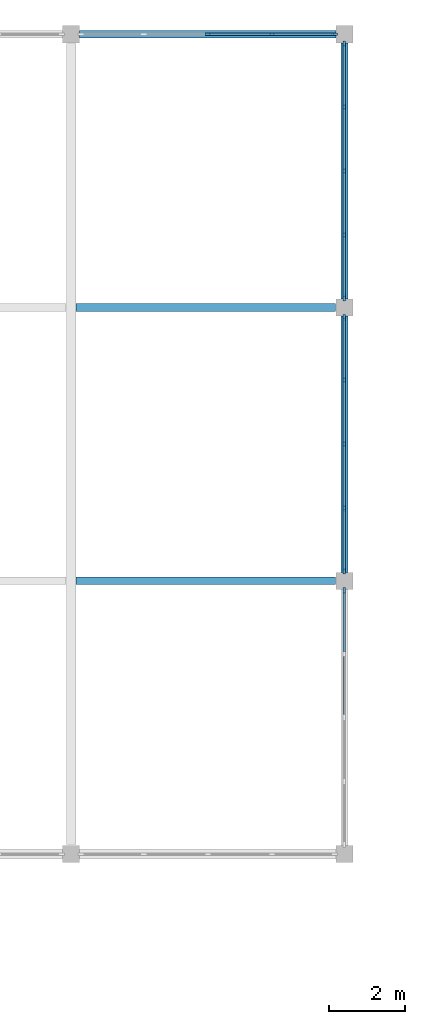
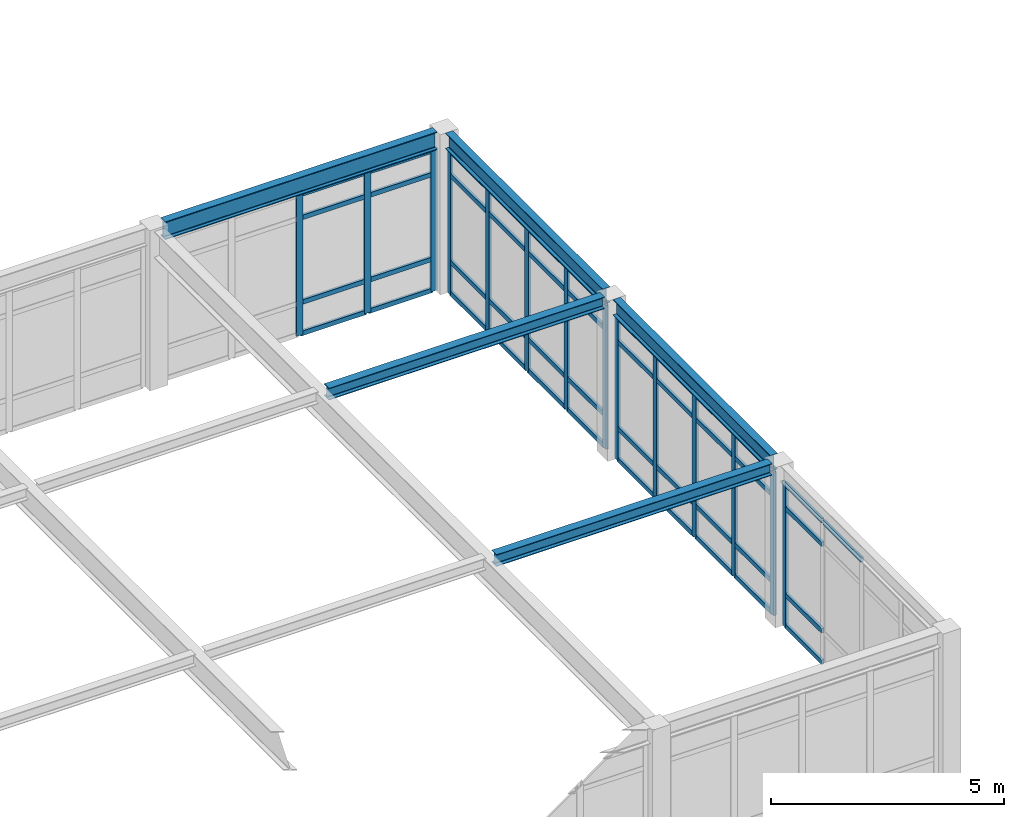
# One storey, part 46 of 136: 59 members, 5 beams, 4 elements without a shape of their own.
"""IFC4 building model written with IfcOpenShell, lengths in metres."""

from ifc_helpers import new_model, si_unit, direction, frame, origin, origin_2d, place, context, subcontext, project, spatial, rectangle, i_section, extrude, material, layer, layer_set, material_profile, profile_set, type_object, element, aggregate, save


model = new_model("IFC4")

# Units and contexts
model_context = context("Model", 3, precision=1e-05, world=origin(), true_north=direction((0.0, 1.0)))
body_context = subcontext(model_context, "Body", "Model", "MODEL_VIEW")
ifc_project = project(units=[si_unit("LENGTHUNIT", "METRE"), si_unit("AREAUNIT", "SQUARE_METRE"), si_unit("VOLUMEUNIT", "CUBIC_METRE"), si_unit("PLANEANGLEUNIT", "RADIAN"), si_unit("MASSUNIT", "GRAM", prefix="KILO")], contexts=[model_context])

# Site, building, storey
site_placement = place(None, origin())
site = spatial("IfcSite", under=ifc_project, at=site_placement, CompositionType="ELEMENT")
building_placement = place(site_placement, origin())
building = spatial("IfcBuilding", under=site, at=building_placement, Name="Koriwan Promenade Central Fire Station", CompositionType="ELEMENT")
storey_placement = place(building_placement, frame((0.0, 0.0, 5.39990234375)))
storey = spatial("IfcBuildingStorey", under=building, at=storey_placement, Name="L01", CompositionType="ELEMENT", Elevation=5.39990234375)

# Curtain wall, members
ifc_material_1 = material(Name="Aluminium EN AW-6063-T6 and low-E glazing", Category="aluminium")
ifc_layer_1 = layer(ifc_material_1, 0.159912109375, Name="Aluminium EN AW-6063-T6 and low-E glazing")
ifc_layer_set_1 = layer_set([ifc_layer_1], Name="Aluminium EN AW-6063-T6 and low-E glazing")
curtain_wall_type_1 = type_object("IfcCurtainWallType", Name="CurtainWall_95_675x372", PredefinedType="USERDEFINED", material=ifc_layer_set_1)
curtain_wall_1_placement = place(storey_placement, origin())
curtain_wall_1 = element("IfcCurtainWall", 1, at=curtain_wall_1_placement, inside=storey, type_object=curtain_wall_type_1, Name="V6 L01 unitised curtain wall 304", ObjectType="UNITISED CURTAIN WALL", PredefinedType="USERDEFINED")
ifc_material_2 = material(Name="Aluminium EN AW-6063-T6", Category="aluminium")
ifc_material_profile_1 = material_profile(ifc_material_2, rectangle(XDim=0.06494140625, YDim=0.159912109375, at=origin_2d()), Name="ALU-MUL-65x160")
ifc_profile_set_1 = profile_set([ifc_material_profile_1], Name="Aluminium EN AW-6063-T6")
member_type_1 = type_object("IfcMemberType", Name="CWMullion_ALU-MUL-65x160", PredefinedType="MULLION", material=ifc_profile_set_1)
member_1_placement = place(storey_placement, frame((32.39990234375, 115.199951171875, 0.0), z_axis=(0.0, 0.0, 1.0), x_axis=(0.0, 1.0, 0.0)))
member_1 = element("IfcMember", 2, at=member_1_placement, type_object=member_type_1, Name="CW-95 mullion 3", PredefinedType="MULLION", context=body_context, shape_type="SweptSolid", body=[
    extrude(rectangle(XDim=0.06494140625, YDim=0.159912109375, at=origin_2d()), origin(), (0.0, 0.0, 1.0), 3.72119140625),
])
member_2_placement = place(storey_placement, frame((34.08740234375, 115.199951171875, 0.0), z_axis=(0.0, 0.0, 1.0), x_axis=(0.0, 1.0, 0.0)))
member_2 = element("IfcMember", 3, at=member_2_placement, type_object=member_type_1, Name="CW-95 mullion 4", PredefinedType="MULLION", context=body_context, shape_type="SweptSolid", body=[
    extrude(rectangle(XDim=0.06494140625, YDim=0.159912109375, at=origin_2d()), origin(), (0.0, 0.0, 1.0), 3.72119140625),
])
member_3_placement = place(storey_placement, frame((35.742431640625, 115.199951171875, 0.0), z_axis=(0.0, 0.0, 1.0), x_axis=(0.0, 1.0, 0.0)))
member_3 = element("IfcMember", 4, at=member_3_placement, type_object=member_type_1, Name="CW-95 mullion 5", PredefinedType="MULLION", context=body_context, shape_type="SweptSolid", body=[
    extrude(rectangle(XDim=0.06494140625, YDim=0.159912109375, at=origin_2d()), origin(), (0.0, 0.0, 1.0), 3.72119140625),
])

# Curtain wall, member
ifc_layer_2 = layer(ifc_material_1, 0.159912109375, Name="Aluminium EN AW-6063-T6 and low-E glazing")
ifc_layer_set_2 = layer_set([ifc_layer_2], Name="Aluminium EN AW-6063-T6 and low-E glazing")
curtain_wall_type_2 = type_object("IfcCurtainWallType", Name="CurtainWall_96_675x377", PredefinedType="USERDEFINED", material=ifc_layer_set_2)
curtain_wall_2_placement = place(storey_placement, origin())
curtain_wall_2 = element("IfcCurtainWall", 5, at=curtain_wall_2_placement, inside=storey, type_object=curtain_wall_type_2, Name="V6 L01 unitised curtain wall 305", ObjectType="UNITISED CURTAIN WALL", PredefinedType="USERDEFINED")
member_4_placement = place(storey_placement, frame((36.0, 100.54248046875, 0.0), z_axis=(0.0, 0.0, 1.0), x_axis=(-1.0, 0.0, 0.0)))
member_4 = element("IfcMember", 6, at=member_4_placement, type_object=member_type_1, Name="CW-96 mullion 5", PredefinedType="MULLION", context=body_context, shape_type="SweptSolid", body=[
    extrude(rectangle(XDim=0.06494140625, YDim=0.159912109375, at=origin_2d()), origin(), (0.0, 0.0, 1.0), 3.773193359375),
])

# Curtain wall, members
curtain_wall_3_placement = place(storey_placement, origin())
curtain_wall_3 = element("IfcCurtainWall", 7, at=curtain_wall_3_placement, inside=storey, type_object=curtain_wall_type_2, Name="V6 L01 unitised curtain wall 306", ObjectType="UNITISED CURTAIN WALL", PredefinedType="USERDEFINED")
member_5_placement = place(storey_placement, frame((36.0, 101.0576171875, 0.0), z_axis=(0.0, 0.0, 1.0), x_axis=(-1.0, 0.0, 0.0)))
member_5 = element("IfcMember", 8, at=member_5_placement, type_object=member_type_1, Name="CW-96 mullion 1", PredefinedType="MULLION", context=body_context, shape_type="SweptSolid", body=[
    extrude(rectangle(XDim=0.06494140625, YDim=0.159912109375, at=origin_2d()), origin(), (0.0, 0.0, 1.0), 3.773193359375),
])
member_6_placement = place(storey_placement, frame((36.0, 102.71240234375, 0.0), z_axis=(0.0, 0.0, 1.0), x_axis=(-1.0, 0.0, 0.0)))
member_6 = element("IfcMember", 9, at=member_6_placement, type_object=member_type_1, Name="CW-96 mullion 2", PredefinedType="MULLION", context=body_context, shape_type="SweptSolid", body=[
    extrude(rectangle(XDim=0.06494140625, YDim=0.159912109375, at=origin_2d()), origin(), (0.0, 0.0, 1.0), 3.773193359375),
])
member_7_placement = place(storey_placement, frame((36.0, 104.39990234375, 0.0), z_axis=(0.0, 0.0, 1.0), x_axis=(-1.0, 0.0, 0.0)))
member_7 = element("IfcMember", 10, at=member_7_placement, type_object=member_type_1, Name="CW-96 mullion 3", PredefinedType="MULLION", context=body_context, shape_type="SweptSolid", body=[
    extrude(rectangle(XDim=0.06494140625, YDim=0.159912109375, at=origin_2d()), origin(), (0.0, 0.0, 1.0), 3.773193359375),
])
member_8_placement = place(storey_placement, frame((36.0, 106.08740234375, 0.0), z_axis=(0.0, 0.0, 1.0), x_axis=(-1.0, 0.0, 0.0)))
member_8 = element("IfcMember", 11, at=member_8_placement, type_object=member_type_1, Name="CW-96 mullion 4", PredefinedType="MULLION", context=body_context, shape_type="SweptSolid", body=[
    extrude(rectangle(XDim=0.06494140625, YDim=0.159912109375, at=origin_2d()), origin(), (0.0, 0.0, 1.0), 3.773193359375),
])
member_9_placement = place(storey_placement, frame((36.0, 107.742431640625, 0.0), z_axis=(0.0, 0.0, 1.0), x_axis=(-1.0, 0.0, 0.0)))
member_9 = element("IfcMember", 12, at=member_9_placement, type_object=member_type_1, Name="CW-96 mullion 5", PredefinedType="MULLION", context=body_context, shape_type="SweptSolid", body=[
    extrude(rectangle(XDim=0.06494140625, YDim=0.159912109375, at=origin_2d()), origin(), (0.0, 0.0, 1.0), 3.773193359375),
])

curtain_wall_4_placement = place(storey_placement, origin())
curtain_wall_4 = element("IfcCurtainWall", 13, at=curtain_wall_4_placement, inside=storey, type_object=curtain_wall_type_2, Name="V6 L01 unitised curtain wall 307", ObjectType="UNITISED CURTAIN WALL", PredefinedType="USERDEFINED")
member_10_placement = place(storey_placement, frame((36.0, 108.257568359375, 0.0), z_axis=(0.0, 0.0, 1.0), x_axis=(-1.0, 0.0, 0.0)))
member_10 = element("IfcMember", 14, at=member_10_placement, type_object=member_type_1, Name="CW-96 mullion 1", PredefinedType="MULLION", context=body_context, shape_type="SweptSolid", body=[
    extrude(rectangle(XDim=0.06494140625, YDim=0.159912109375, at=origin_2d()), origin(), (0.0, 0.0, 1.0), 3.773193359375),
])
member_11_placement = place(storey_placement, frame((36.0, 109.91259765625, 0.0), z_axis=(0.0, 0.0, 1.0), x_axis=(-1.0, 0.0, 0.0)))
member_11 = element("IfcMember", 15, at=member_11_placement, type_object=member_type_1, Name="CW-96 mullion 2", PredefinedType="MULLION", context=body_context, shape_type="SweptSolid", body=[
    extrude(rectangle(XDim=0.06494140625, YDim=0.159912109375, at=origin_2d()), origin(), (0.0, 0.0, 1.0), 3.773193359375),
])
member_12_placement = place(storey_placement, frame((36.0, 111.60009765625, 0.0), z_axis=(0.0, 0.0, 1.0), x_axis=(-1.0, 0.0, 0.0)))
member_12 = element("IfcMember", 16, at=member_12_placement, type_object=member_type_1, Name="CW-96 mullion 3", PredefinedType="MULLION", context=body_context, shape_type="SweptSolid", body=[
    extrude(rectangle(XDim=0.06494140625, YDim=0.159912109375, at=origin_2d()), origin(), (0.0, 0.0, 1.0), 3.773193359375),
])
member_13_placement = place(storey_placement, frame((36.0, 113.28759765625, 0.0), z_axis=(0.0, 0.0, 1.0), x_axis=(-1.0, 0.0, 0.0)))
member_13 = element("IfcMember", 17, at=member_13_placement, type_object=member_type_1, Name="CW-96 mullion 4", PredefinedType="MULLION", context=body_context, shape_type="SweptSolid", body=[
    extrude(rectangle(XDim=0.06494140625, YDim=0.159912109375, at=origin_2d()), origin(), (0.0, 0.0, 1.0), 3.773193359375),
])
member_14_placement = place(storey_placement, frame((36.0, 114.9423828125, 0.0), z_axis=(0.0, 0.0, 1.0), x_axis=(-1.0, 0.0, 0.0)))
member_14 = element("IfcMember", 18, at=member_14_placement, type_object=member_type_1, Name="CW-96 mullion 5", PredefinedType="MULLION", context=body_context, shape_type="SweptSolid", body=[
    extrude(rectangle(XDim=0.06494140625, YDim=0.159912109375, at=origin_2d()), origin(), (0.0, 0.0, 1.0), 3.773193359375),
])

# Member
ifc_material_profile_2 = material_profile(ifc_material_2, rectangle(XDim=0.06494140625, YDim=0.1201171875, at=origin_2d()), Name="ALU-TRN-65x120")
ifc_profile_set_2 = profile_set([ifc_material_profile_2], Name="Aluminium EN AW-6063-T6")
member_type_2 = type_object("IfcMemberType", Name="CWTransom_ALU-TRN-65x120", PredefinedType="USERDEFINED", material=ifc_profile_set_2)
member_15_placement = place(storey_placement, frame((32.4326171875, 115.199951171875, 0.03271484375), z_axis=(1.0, 0.0, 0.0), x_axis=(0.0, 1.0, 0.0)))
member_15 = element("IfcMember", 19, at=member_15_placement, type_object=member_type_2, Name="CW-95 transom 3.1", ObjectType="TRANSOM", PredefinedType="USERDEFINED", context=body_context, shape_type="SweptSolid", body=[
    extrude(rectangle(XDim=0.06494140625, YDim=0.1201171875, at=origin_2d()), origin(), (0.0, 0.0, 1.0), 1.622314453125),
])

member_16_placement = place(storey_placement, frame((32.4326171875, 115.199951171875, 0.85009765625), z_axis=(1.0, 0.0, 0.0), x_axis=(0.0, 1.0, 0.0)))
member_16 = element("IfcMember", 20, at=member_16_placement, type_object=member_type_2, Name="CW-95 transom 3.2", ObjectType="TRANSOM", PredefinedType="USERDEFINED", context=body_context, shape_type="SweptSolid", body=[
    extrude(rectangle(XDim=0.06494140625, YDim=0.1201171875, at=origin_2d()), origin(), (0.0, 0.0, 1.0), 1.622314453125),
])

member_17_placement = place(storey_placement, frame((32.4326171875, 115.199951171875, 3.071044921875), z_axis=(1.0, 0.0, 0.0), x_axis=(0.0, 1.0, 0.0)))
member_17 = element("IfcMember", 21, at=member_17_placement, type_object=member_type_2, Name="CW-95 transom 3.3", ObjectType="TRANSOM", PredefinedType="USERDEFINED", context=body_context, shape_type="SweptSolid", body=[
    extrude(rectangle(XDim=0.06494140625, YDim=0.1201171875, at=origin_2d()), origin(), (0.0, 0.0, 1.0), 1.622314453125),
])

member_18_placement = place(storey_placement, frame((32.4326171875, 115.199951171875, 3.6884765625), z_axis=(1.0, 0.0, 0.0), x_axis=(0.0, 1.0, 0.0)))
member_18 = element("IfcMember", 22, at=member_18_placement, type_object=member_type_2, Name="CW-95 transom 3.4", ObjectType="TRANSOM", PredefinedType="USERDEFINED", context=body_context, shape_type="SweptSolid", body=[
    extrude(rectangle(XDim=0.06494140625, YDim=0.1201171875, at=origin_2d()), origin(), (0.0, 0.0, 1.0), 1.622314453125),
])

member_19_placement = place(storey_placement, frame((34.1201171875, 115.199951171875, 0.03271484375), z_axis=(1.0, 0.0, 0.0), x_axis=(0.0, 1.0, 0.0)))
member_19 = element("IfcMember", 23, at=member_19_placement, type_object=member_type_2, Name="CW-95 transom 4.1", ObjectType="TRANSOM", PredefinedType="USERDEFINED", context=body_context, shape_type="SweptSolid", body=[
    extrude(rectangle(XDim=0.06494140625, YDim=0.1201171875, at=origin_2d()), origin(), (0.0, 0.0, 1.0), 1.58984375),
])

member_20_placement = place(storey_placement, frame((34.1201171875, 115.199951171875, 0.85009765625), z_axis=(1.0, 0.0, 0.0), x_axis=(0.0, 1.0, 0.0)))
member_20 = element("IfcMember", 24, at=member_20_placement, type_object=member_type_2, Name="CW-95 transom 4.2", ObjectType="TRANSOM", PredefinedType="USERDEFINED", context=body_context, shape_type="SweptSolid", body=[
    extrude(rectangle(XDim=0.06494140625, YDim=0.1201171875, at=origin_2d()), origin(), (0.0, 0.0, 1.0), 1.58984375),
])

member_21_placement = place(storey_placement, frame((34.1201171875, 115.199951171875, 3.071044921875), z_axis=(1.0, 0.0, 0.0), x_axis=(0.0, 1.0, 0.0)))
member_21 = element("IfcMember", 25, at=member_21_placement, type_object=member_type_2, Name="CW-95 transom 4.3", ObjectType="TRANSOM", PredefinedType="USERDEFINED", context=body_context, shape_type="SweptSolid", body=[
    extrude(rectangle(XDim=0.06494140625, YDim=0.1201171875, at=origin_2d()), origin(), (0.0, 0.0, 1.0), 1.58984375),
])

member_22_placement = place(storey_placement, frame((34.1201171875, 115.199951171875, 3.6884765625), z_axis=(1.0, 0.0, 0.0), x_axis=(0.0, 1.0, 0.0)))
member_22 = element("IfcMember", 26, at=member_22_placement, type_object=member_type_2, Name="CW-95 transom 4.4", ObjectType="TRANSOM", PredefinedType="USERDEFINED", context=body_context, shape_type="SweptSolid", body=[
    extrude(rectangle(XDim=0.06494140625, YDim=0.1201171875, at=origin_2d()), origin(), (0.0, 0.0, 1.0), 1.58984375),
])

aggregate(curtain_wall_1, [member_1, member_2, member_3, member_15, member_16, member_17, member_18, member_19, member_20, member_21, member_22])

member_23_placement = place(storey_placement, frame((36.0, 97.232421875, 3.740478515625), z_axis=(0.0, 1.0, 0.0), x_axis=(-1.0, 0.0, 0.0)))
member_23 = element("IfcMember", 27, at=member_23_placement, type_object=member_type_2, Name="CW-96 transom 3.4", ObjectType="TRANSOM", PredefinedType="USERDEFINED", context=body_context, shape_type="SweptSolid", body=[
    extrude(rectangle(XDim=0.06494140625, YDim=0.1201171875, at=origin_2d()), origin(), (0.0, 0.0, 1.0), 1.62255859375),
])

member_24_placement = place(storey_placement, frame((36.0, 98.919921875, 0.03271484375), z_axis=(0.0, 1.0, 0.0), x_axis=(-1.0, 0.0, 0.0)))
member_24 = element("IfcMember", 28, at=member_24_placement, type_object=member_type_2, Name="CW-96 transom 4.1", ObjectType="TRANSOM", PredefinedType="USERDEFINED", context=body_context, shape_type="SweptSolid", body=[
    extrude(rectangle(XDim=0.06494140625, YDim=0.1201171875, at=origin_2d()), origin(), (0.0, 0.0, 1.0), 1.590087890625),
])

member_25_placement = place(storey_placement, frame((36.0, 98.919921875, 0.85009765625), z_axis=(0.0, 1.0, 0.0), x_axis=(-1.0, 0.0, 0.0)))
member_25 = element("IfcMember", 29, at=member_25_placement, type_object=member_type_2, Name="CW-96 transom 4.2", ObjectType="TRANSOM", PredefinedType="USERDEFINED", context=body_context, shape_type="SweptSolid", body=[
    extrude(rectangle(XDim=0.06494140625, YDim=0.1201171875, at=origin_2d()), origin(), (0.0, 0.0, 1.0), 1.590087890625),
])

member_26_placement = place(storey_placement, frame((36.0, 98.919921875, 3.123046875), z_axis=(0.0, 1.0, 0.0), x_axis=(-1.0, 0.0, 0.0)))
member_26 = element("IfcMember", 30, at=member_26_placement, type_object=member_type_2, Name="CW-96 transom 4.3", ObjectType="TRANSOM", PredefinedType="USERDEFINED", context=body_context, shape_type="SweptSolid", body=[
    extrude(rectangle(XDim=0.06494140625, YDim=0.1201171875, at=origin_2d()), origin(), (0.0, 0.0, 1.0), 1.590087890625),
])

member_27_placement = place(storey_placement, frame((36.0, 98.919921875, 3.740478515625), z_axis=(0.0, 1.0, 0.0), x_axis=(-1.0, 0.0, 0.0)))
member_27 = element("IfcMember", 31, at=member_27_placement, type_object=member_type_2, Name="CW-96 transom 4.4", ObjectType="TRANSOM", PredefinedType="USERDEFINED", context=body_context, shape_type="SweptSolid", body=[
    extrude(rectangle(XDim=0.06494140625, YDim=0.1201171875, at=origin_2d()), origin(), (0.0, 0.0, 1.0), 1.590087890625),
])

aggregate(curtain_wall_2, [member_4, member_23, member_24, member_25, member_26, member_27])

member_28_placement = place(storey_placement, frame((36.0, 101.090087890625, 0.03271484375), z_axis=(0.0, 1.0, 0.0), x_axis=(-1.0, 0.0, 0.0)))
member_28 = element("IfcMember", 32, at=member_28_placement, type_object=member_type_2, Name="CW-96 transom 1.1", ObjectType="TRANSOM", PredefinedType="USERDEFINED", context=body_context, shape_type="SweptSolid", body=[
    extrude(rectangle(XDim=0.06494140625, YDim=0.1201171875, at=origin_2d()), origin(), (0.0, 0.0, 1.0), 1.58984375),
])

member_29_placement = place(storey_placement, frame((36.0, 101.090087890625, 0.85009765625), z_axis=(0.0, 1.0, 0.0), x_axis=(-1.0, 0.0, 0.0)))
member_29 = element("IfcMember", 33, at=member_29_placement, type_object=member_type_2, Name="CW-96 transom 1.2", ObjectType="TRANSOM", PredefinedType="USERDEFINED", context=body_context, shape_type="SweptSolid", body=[
    extrude(rectangle(XDim=0.06494140625, YDim=0.1201171875, at=origin_2d()), origin(), (0.0, 0.0, 1.0), 1.58984375),
])

member_30_placement = place(storey_placement, frame((36.0, 101.090087890625, 3.123046875), z_axis=(0.0, 1.0, 0.0), x_axis=(-1.0, 0.0, 0.0)))
member_30 = element("IfcMember", 34, at=member_30_placement, type_object=member_type_2, Name="CW-96 transom 1.3", ObjectType="TRANSOM", PredefinedType="USERDEFINED", context=body_context, shape_type="SweptSolid", body=[
    extrude(rectangle(XDim=0.06494140625, YDim=0.1201171875, at=origin_2d()), origin(), (0.0, 0.0, 1.0), 1.58984375),
])

member_31_placement = place(storey_placement, frame((36.0, 101.090087890625, 3.740478515625), z_axis=(0.0, 1.0, 0.0), x_axis=(-1.0, 0.0, 0.0)))
member_31 = element("IfcMember", 35, at=member_31_placement, type_object=member_type_2, Name="CW-96 transom 1.4", ObjectType="TRANSOM", PredefinedType="USERDEFINED", context=body_context, shape_type="SweptSolid", body=[
    extrude(rectangle(XDim=0.06494140625, YDim=0.1201171875, at=origin_2d()), origin(), (0.0, 0.0, 1.0), 1.58984375),
])

member_32_placement = place(storey_placement, frame((36.0, 102.7451171875, 0.03271484375), z_axis=(0.0, 1.0, 0.0), x_axis=(-1.0, 0.0, 0.0)))
member_32 = element("IfcMember", 36, at=member_32_placement, type_object=member_type_2, Name="CW-96 transom 2.1", ObjectType="TRANSOM", PredefinedType="USERDEFINED", context=body_context, shape_type="SweptSolid", body=[
    extrude(rectangle(XDim=0.06494140625, YDim=0.1201171875, at=origin_2d()), origin(), (0.0, 0.0, 1.0), 1.622314453125),
])

member_33_placement = place(storey_placement, frame((36.0, 102.7451171875, 0.85009765625), z_axis=(0.0, 1.0, 0.0), x_axis=(-1.0, 0.0, 0.0)))
member_33 = element("IfcMember", 37, at=member_33_placement, type_object=member_type_2, Name="CW-96 transom 2.2", ObjectType="TRANSOM", PredefinedType="USERDEFINED", context=body_context, shape_type="SweptSolid", body=[
    extrude(rectangle(XDim=0.06494140625, YDim=0.1201171875, at=origin_2d()), origin(), (0.0, 0.0, 1.0), 1.622314453125),
])

member_34_placement = place(storey_placement, frame((36.0, 102.7451171875, 3.123046875), z_axis=(0.0, 1.0, 0.0), x_axis=(-1.0, 0.0, 0.0)))
member_34 = element("IfcMember", 38, at=member_34_placement, type_object=member_type_2, Name="CW-96 transom 2.3", ObjectType="TRANSOM", PredefinedType="USERDEFINED", context=body_context, shape_type="SweptSolid", body=[
    extrude(rectangle(XDim=0.06494140625, YDim=0.1201171875, at=origin_2d()), origin(), (0.0, 0.0, 1.0), 1.622314453125),
])

member_35_placement = place(storey_placement, frame((36.0, 102.7451171875, 3.740478515625), z_axis=(0.0, 1.0, 0.0), x_axis=(-1.0, 0.0, 0.0)))
member_35 = element("IfcMember", 39, at=member_35_placement, type_object=member_type_2, Name="CW-96 transom 2.4", ObjectType="TRANSOM", PredefinedType="USERDEFINED", context=body_context, shape_type="SweptSolid", body=[
    extrude(rectangle(XDim=0.06494140625, YDim=0.1201171875, at=origin_2d()), origin(), (0.0, 0.0, 1.0), 1.622314453125),
])

member_36_placement = place(storey_placement, frame((36.0, 104.4326171875, 0.03271484375), z_axis=(0.0, 1.0, 0.0), x_axis=(-1.0, 0.0, 0.0)))
member_36 = element("IfcMember", 40, at=member_36_placement, type_object=member_type_2, Name="CW-96 transom 3.1", ObjectType="TRANSOM", PredefinedType="USERDEFINED", context=body_context, shape_type="SweptSolid", body=[
    extrude(rectangle(XDim=0.06494140625, YDim=0.1201171875, at=origin_2d()), origin(), (0.0, 0.0, 1.0), 1.622314453125),
])

member_37_placement = place(storey_placement, frame((36.0, 104.4326171875, 0.85009765625), z_axis=(0.0, 1.0, 0.0), x_axis=(-1.0, 0.0, 0.0)))
member_37 = element("IfcMember", 41, at=member_37_placement, type_object=member_type_2, Name="CW-96 transom 3.2", ObjectType="TRANSOM", PredefinedType="USERDEFINED", context=body_context, shape_type="SweptSolid", body=[
    extrude(rectangle(XDim=0.06494140625, YDim=0.1201171875, at=origin_2d()), origin(), (0.0, 0.0, 1.0), 1.622314453125),
])

member_38_placement = place(storey_placement, frame((36.0, 104.4326171875, 3.123046875), z_axis=(0.0, 1.0, 0.0), x_axis=(-1.0, 0.0, 0.0)))
member_38 = element("IfcMember", 42, at=member_38_placement, type_object=member_type_2, Name="CW-96 transom 3.3", ObjectType="TRANSOM", PredefinedType="USERDEFINED", context=body_context, shape_type="SweptSolid", body=[
    extrude(rectangle(XDim=0.06494140625, YDim=0.1201171875, at=origin_2d()), origin(), (0.0, 0.0, 1.0), 1.622314453125),
])

member_39_placement = place(storey_placement, frame((36.0, 104.4326171875, 3.740478515625), z_axis=(0.0, 1.0, 0.0), x_axis=(-1.0, 0.0, 0.0)))
member_39 = element("IfcMember", 43, at=member_39_placement, type_object=member_type_2, Name="CW-96 transom 3.4", ObjectType="TRANSOM", PredefinedType="USERDEFINED", context=body_context, shape_type="SweptSolid", body=[
    extrude(rectangle(XDim=0.06494140625, YDim=0.1201171875, at=origin_2d()), origin(), (0.0, 0.0, 1.0), 1.622314453125),
])

member_40_placement = place(storey_placement, frame((36.0, 106.1201171875, 0.03271484375), z_axis=(0.0, 1.0, 0.0), x_axis=(-1.0, 0.0, 0.0)))
member_40 = element("IfcMember", 44, at=member_40_placement, type_object=member_type_2, Name="CW-96 transom 4.1", ObjectType="TRANSOM", PredefinedType="USERDEFINED", context=body_context, shape_type="SweptSolid", body=[
    extrude(rectangle(XDim=0.06494140625, YDim=0.1201171875, at=origin_2d()), origin(), (0.0, 0.0, 1.0), 1.58984375),
])

member_41_placement = place(storey_placement, frame((36.0, 106.1201171875, 0.85009765625), z_axis=(0.0, 1.0, 0.0), x_axis=(-1.0, 0.0, 0.0)))
member_41 = element("IfcMember", 45, at=member_41_placement, type_object=member_type_2, Name="CW-96 transom 4.2", ObjectType="TRANSOM", PredefinedType="USERDEFINED", context=body_context, shape_type="SweptSolid", body=[
    extrude(rectangle(XDim=0.06494140625, YDim=0.1201171875, at=origin_2d()), origin(), (0.0, 0.0, 1.0), 1.58984375),
])

member_42_placement = place(storey_placement, frame((36.0, 106.1201171875, 3.123046875), z_axis=(0.0, 1.0, 0.0), x_axis=(-1.0, 0.0, 0.0)))
member_42 = element("IfcMember", 46, at=member_42_placement, type_object=member_type_2, Name="CW-96 transom 4.3", ObjectType="TRANSOM", PredefinedType="USERDEFINED", context=body_context, shape_type="SweptSolid", body=[
    extrude(rectangle(XDim=0.06494140625, YDim=0.1201171875, at=origin_2d()), origin(), (0.0, 0.0, 1.0), 1.58984375),
])

member_43_placement = place(storey_placement, frame((36.0, 106.1201171875, 3.740478515625), z_axis=(0.0, 1.0, 0.0), x_axis=(-1.0, 0.0, 0.0)))
member_43 = element("IfcMember", 47, at=member_43_placement, type_object=member_type_2, Name="CW-96 transom 4.4", ObjectType="TRANSOM", PredefinedType="USERDEFINED", context=body_context, shape_type="SweptSolid", body=[
    extrude(rectangle(XDim=0.06494140625, YDim=0.1201171875, at=origin_2d()), origin(), (0.0, 0.0, 1.0), 1.58984375),
])

aggregate(curtain_wall_3, [member_5, member_6, member_7, member_8, member_9, member_28, member_29, member_30, member_31, member_32, member_33, member_34, member_35, member_36, member_37, member_38, member_39, member_40, member_41, member_42, member_43])

member_44_placement = place(storey_placement, frame((36.0, 108.2900390625, 0.03271484375), z_axis=(0.0, 1.0, 0.0), x_axis=(-1.0, 0.0, 0.0)))
member_44 = element("IfcMember", 48, at=member_44_placement, type_object=member_type_2, Name="CW-96 transom 1.1", ObjectType="TRANSOM", PredefinedType="USERDEFINED", context=body_context, shape_type="SweptSolid", body=[
    extrude(rectangle(XDim=0.06494140625, YDim=0.1201171875, at=origin_2d()), origin(), (0.0, 0.0, 1.0), 1.58984375),
])

member_45_placement = place(storey_placement, frame((36.0, 108.2900390625, 0.85009765625), z_axis=(0.0, 1.0, 0.0), x_axis=(-1.0, 0.0, 0.0)))
member_45 = element("IfcMember", 49, at=member_45_placement, type_object=member_type_2, Name="CW-96 transom 1.2", ObjectType="TRANSOM", PredefinedType="USERDEFINED", context=body_context, shape_type="SweptSolid", body=[
    extrude(rectangle(XDim=0.06494140625, YDim=0.1201171875, at=origin_2d()), origin(), (0.0, 0.0, 1.0), 1.58984375),
])

member_46_placement = place(storey_placement, frame((36.0, 108.2900390625, 3.123046875), z_axis=(0.0, 1.0, 0.0), x_axis=(-1.0, 0.0, 0.0)))
member_46 = element("IfcMember", 50, at=member_46_placement, type_object=member_type_2, Name="CW-96 transom 1.3", ObjectType="TRANSOM", PredefinedType="USERDEFINED", context=body_context, shape_type="SweptSolid", body=[
    extrude(rectangle(XDim=0.06494140625, YDim=0.1201171875, at=origin_2d()), origin(), (0.0, 0.0, 1.0), 1.58984375),
])

member_47_placement = place(storey_placement, frame((36.0, 108.2900390625, 3.740478515625), z_axis=(0.0, 1.0, 0.0), x_axis=(-1.0, 0.0, 0.0)))
member_47 = element("IfcMember", 51, at=member_47_placement, type_object=member_type_2, Name="CW-96 transom 1.4", ObjectType="TRANSOM", PredefinedType="USERDEFINED", context=body_context, shape_type="SweptSolid", body=[
    extrude(rectangle(XDim=0.06494140625, YDim=0.1201171875, at=origin_2d()), origin(), (0.0, 0.0, 1.0), 1.58984375),
])

member_48_placement = place(storey_placement, frame((36.0, 109.945068359375, 0.03271484375), z_axis=(0.0, 1.0, 0.0), x_axis=(-1.0, 0.0, 0.0)))
member_48 = element("IfcMember", 52, at=member_48_placement, type_object=member_type_2, Name="CW-96 transom 2.1", ObjectType="TRANSOM", PredefinedType="USERDEFINED", context=body_context, shape_type="SweptSolid", body=[
    extrude(rectangle(XDim=0.06494140625, YDim=0.1201171875, at=origin_2d()), origin(), (0.0, 0.0, 1.0), 1.622314453125),
])

member_49_placement = place(storey_placement, frame((36.0, 109.945068359375, 0.85009765625), z_axis=(0.0, 1.0, 0.0), x_axis=(-1.0, 0.0, 0.0)))
member_49 = element("IfcMember", 53, at=member_49_placement, type_object=member_type_2, Name="CW-96 transom 2.2", ObjectType="TRANSOM", PredefinedType="USERDEFINED", context=body_context, shape_type="SweptSolid", body=[
    extrude(rectangle(XDim=0.06494140625, YDim=0.1201171875, at=origin_2d()), origin(), (0.0, 0.0, 1.0), 1.622314453125),
])

member_50_placement = place(storey_placement, frame((36.0, 109.945068359375, 3.123046875), z_axis=(0.0, 1.0, 0.0), x_axis=(-1.0, 0.0, 0.0)))
member_50 = element("IfcMember", 54, at=member_50_placement, type_object=member_type_2, Name="CW-96 transom 2.3", ObjectType="TRANSOM", PredefinedType="USERDEFINED", context=body_context, shape_type="SweptSolid", body=[
    extrude(rectangle(XDim=0.06494140625, YDim=0.1201171875, at=origin_2d()), origin(), (0.0, 0.0, 1.0), 1.622314453125),
])

member_51_placement = place(storey_placement, frame((36.0, 109.945068359375, 3.740478515625), z_axis=(0.0, 1.0, 0.0), x_axis=(-1.0, 0.0, 0.0)))
member_51 = element("IfcMember", 55, at=member_51_placement, type_object=member_type_2, Name="CW-96 transom 2.4", ObjectType="TRANSOM", PredefinedType="USERDEFINED", context=body_context, shape_type="SweptSolid", body=[
    extrude(rectangle(XDim=0.06494140625, YDim=0.1201171875, at=origin_2d()), origin(), (0.0, 0.0, 1.0), 1.622314453125),
])

member_52_placement = place(storey_placement, frame((36.0, 111.632568359375, 0.03271484375), z_axis=(0.0, 1.0, 0.0), x_axis=(-1.0, 0.0, 0.0)))
member_52 = element("IfcMember", 56, at=member_52_placement, type_object=member_type_2, Name="CW-96 transom 3.1", ObjectType="TRANSOM", PredefinedType="USERDEFINED", context=body_context, shape_type="SweptSolid", body=[
    extrude(rectangle(XDim=0.06494140625, YDim=0.1201171875, at=origin_2d()), origin(), (0.0, 0.0, 1.0), 1.622314453125),
])

member_53_placement = place(storey_placement, frame((36.0, 111.632568359375, 0.85009765625), z_axis=(0.0, 1.0, 0.0), x_axis=(-1.0, 0.0, 0.0)))
member_53 = element("IfcMember", 57, at=member_53_placement, type_object=member_type_2, Name="CW-96 transom 3.2", ObjectType="TRANSOM", PredefinedType="USERDEFINED", context=body_context, shape_type="SweptSolid", body=[
    extrude(rectangle(XDim=0.06494140625, YDim=0.1201171875, at=origin_2d()), origin(), (0.0, 0.0, 1.0), 1.622314453125),
])

member_54_placement = place(storey_placement, frame((36.0, 111.632568359375, 3.123046875), z_axis=(0.0, 1.0, 0.0), x_axis=(-1.0, 0.0, 0.0)))
member_54 = element("IfcMember", 58, at=member_54_placement, type_object=member_type_2, Name="CW-96 transom 3.3", ObjectType="TRANSOM", PredefinedType="USERDEFINED", context=body_context, shape_type="SweptSolid", body=[
    extrude(rectangle(XDim=0.06494140625, YDim=0.1201171875, at=origin_2d()), origin(), (0.0, 0.0, 1.0), 1.622314453125),
])

member_55_placement = place(storey_placement, frame((36.0, 111.632568359375, 3.740478515625), z_axis=(0.0, 1.0, 0.0), x_axis=(-1.0, 0.0, 0.0)))
member_55 = element("IfcMember", 59, at=member_55_placement, type_object=member_type_2, Name="CW-96 transom 3.4", ObjectType="TRANSOM", PredefinedType="USERDEFINED", context=body_context, shape_type="SweptSolid", body=[
    extrude(rectangle(XDim=0.06494140625, YDim=0.1201171875, at=origin_2d()), origin(), (0.0, 0.0, 1.0), 1.622314453125),
])

member_56_placement = place(storey_placement, frame((36.0, 113.320068359375, 0.03271484375), z_axis=(0.0, 1.0, 0.0), x_axis=(-1.0, 0.0, 0.0)))
member_56 = element("IfcMember", 60, at=member_56_placement, type_object=member_type_2, Name="CW-96 transom 4.1", ObjectType="TRANSOM", PredefinedType="USERDEFINED", context=body_context, shape_type="SweptSolid", body=[
    extrude(rectangle(XDim=0.06494140625, YDim=0.1201171875, at=origin_2d()), origin(), (0.0, 0.0, 1.0), 1.58984375),
])

member_57_placement = place(storey_placement, frame((36.0, 113.320068359375, 0.85009765625), z_axis=(0.0, 1.0, 0.0), x_axis=(-1.0, 0.0, 0.0)))
member_57 = element("IfcMember", 61, at=member_57_placement, type_object=member_type_2, Name="CW-96 transom 4.2", ObjectType="TRANSOM", PredefinedType="USERDEFINED", context=body_context, shape_type="SweptSolid", body=[
    extrude(rectangle(XDim=0.06494140625, YDim=0.1201171875, at=origin_2d()), origin(), (0.0, 0.0, 1.0), 1.58984375),
])

member_58_placement = place(storey_placement, frame((36.0, 113.320068359375, 3.123046875), z_axis=(0.0, 1.0, 0.0), x_axis=(-1.0, 0.0, 0.0)))
member_58 = element("IfcMember", 62, at=member_58_placement, type_object=member_type_2, Name="CW-96 transom 4.3", ObjectType="TRANSOM", PredefinedType="USERDEFINED", context=body_context, shape_type="SweptSolid", body=[
    extrude(rectangle(XDim=0.06494140625, YDim=0.1201171875, at=origin_2d()), origin(), (0.0, 0.0, 1.0), 1.58984375),
])

member_59_placement = place(storey_placement, frame((36.0, 113.320068359375, 3.740478515625), z_axis=(0.0, 1.0, 0.0), x_axis=(-1.0, 0.0, 0.0)))
member_59 = element("IfcMember", 63, at=member_59_placement, type_object=member_type_2, Name="CW-96 transom 4.4", ObjectType="TRANSOM", PredefinedType="USERDEFINED", context=body_context, shape_type="SweptSolid", body=[
    extrude(rectangle(XDim=0.06494140625, YDim=0.1201171875, at=origin_2d()), origin(), (0.0, 0.0, 1.0), 1.58984375),
])

aggregate(curtain_wall_4, [member_10, member_11, member_12, member_13, member_14, member_44, member_45, member_46, member_47, member_48, member_49, member_50, member_51, member_52, member_53, member_54, member_55, member_56, member_57, member_58, member_59])

# Beams
ifc_material_3 = material(Name="Steel ASTM A992 Grade 50", Category="steel")
ifc_material_profile_3 = material_profile(ifc_material_3, i_section(OverallWidth=0.205078125, OverallDepth=0.31005859375, WebThickness=0.009521484375, FlangeThickness=0.016357421875, FilletRadius=0.014892578125, at=origin_2d()), Name="W310x74")
ifc_profile_set_3 = profile_set([ifc_material_profile_3], Name="Steel ASTM A992 Grade 50")
beam_type_1 = type_object("IfcBeamType", Name="SteelBeam_W310x74", PredefinedType="BEAM", material=ifc_profile_set_3)
for number, where, z_axis, x_axis, name in (
    (64, (28.929931640625, 100.800048828125, 4.085205078125), (1.0, 0.0, 0.0), (0.0, 1.0, 0.0), "V6 sawtooth valley beam 5-1"),
    (65, (28.929931640625, 108.0, 4.085205078125), (1.0, 0.0, 0.0), (0.0, 1.0, 0.0), "V6 sawtooth valley beam 5-2"),
):
    element("IfcBeam", number, at=place(storey_placement, frame(where, z_axis=z_axis, x_axis=x_axis)), inside=storey, type_object=beam_type_1, Name=name, PredefinedType="BEAM", context=body_context, shape_type="SweptSolid", body=[
        extrude(i_section(OverallWidth=0.205078125, OverallDepth=0.31005859375, WebThickness=0.009521484375, FlangeThickness=0.016357421875, FilletRadius=0.014892578125, at=origin_2d()), origin(), (0.0, 0.0, 1.0), 6.840087890625),
    ])
ifc_material_profile_4 = material_profile(ifc_material_3, i_section(OverallWidth=0.180908203125, OverallDepth=0.4169921875, WebThickness=0.010986328125, FlangeThickness=0.018310546875, FilletRadius=0.01611328125, at=origin_2d()), Name="W410x85")
ifc_profile_set_4 = profile_set([ifc_material_profile_4], Name="Steel ASTM A992 Grade 50")
beam_type_2 = type_object("IfcBeamType", Name="SteelBeam_W410x85", PredefinedType="BEAM", material=ifc_profile_set_4)
for number, where, z_axis, x_axis, name in (
    (66, (36.0, 101.02490234375, 3.99169921875), (0.0, 1.0, 0.0), (-1.0, 0.0, 0.0), "V6 L01 girder Y-1067"),
    (67, (36.0, 108.22509765625, 3.99169921875), (0.0, 1.0, 0.0), (-1.0, 0.0, 0.0), "V6 L01 girder Y-1068"),
):
    element("IfcBeam", number, at=place(storey_placement, frame(where, z_axis=z_axis, x_axis=x_axis)), inside=storey, type_object=beam_type_2, Name=name, PredefinedType="BEAM", context=body_context, shape_type="SweptSolid", body=[
        extrude(i_section(OverallWidth=0.180908203125, OverallDepth=0.4169921875, WebThickness=0.010986328125, FlangeThickness=0.018310546875, FilletRadius=0.01611328125, at=origin_2d()), origin(), (0.0, 0.0, 1.0), 6.75),
    ])
ifc_material_profile_5 = material_profile(ifc_material_3, i_section(OverallWidth=0.194091796875, OverallDepth=0.468994140625, WebThickness=0.0126953125, FlangeThickness=0.0205078125, FilletRadius=0.01806640625, at=origin_2d()), Name="W460x106")
ifc_profile_set_5 = profile_set([ifc_material_profile_5], Name="Steel ASTM A992 Grade 50")
beam_type_3 = type_object("IfcBeamType", Name="SteelBeam_W460x106", PredefinedType="BEAM", material=ifc_profile_set_5)
beam_placement = place(storey_placement, frame((29.02490234375, 115.199951171875, 3.965576171875), z_axis=(1.0, 0.0, 0.0), x_axis=(0.0, 1.0, 0.0)))
element("IfcBeam", 68, at=beam_placement, inside=storey, type_object=beam_type_3, Name="V6 L01 girder X-1056", PredefinedType="BEAM", context=body_context, shape_type="SweptSolid", body=[
    extrude(i_section(OverallWidth=0.194091796875, OverallDepth=0.468994140625, WebThickness=0.0126953125, FlangeThickness=0.0205078125, FilletRadius=0.01806640625, at=origin_2d()), origin(), (0.0, 0.0, 1.0), 6.75),
])

save(model, "model.ifc")
